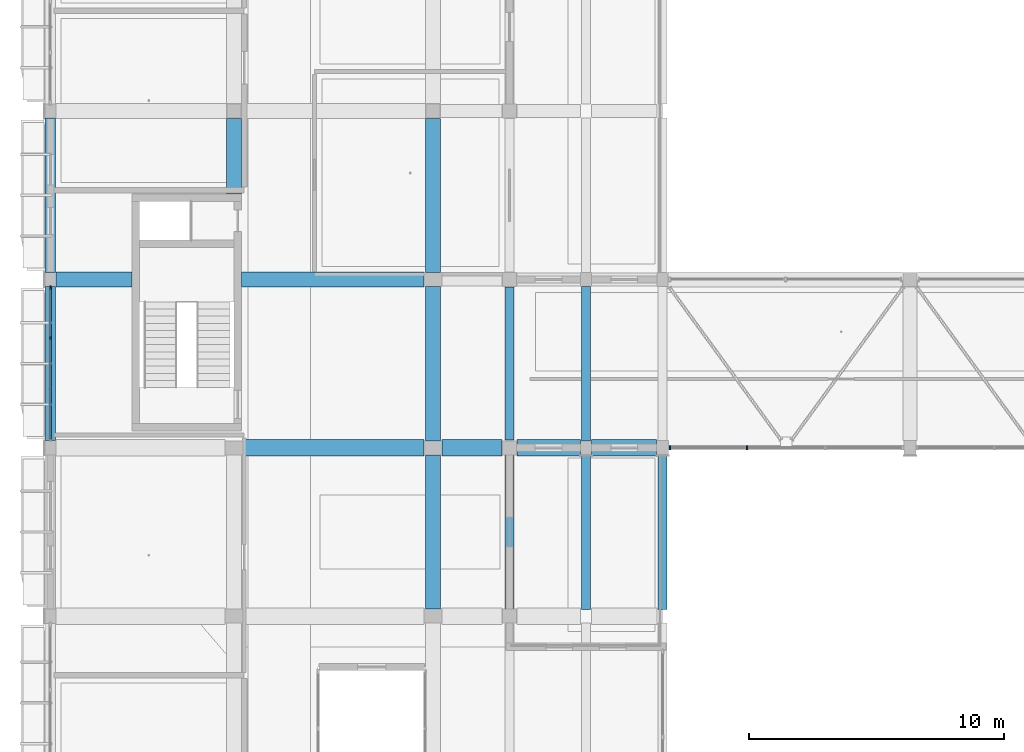
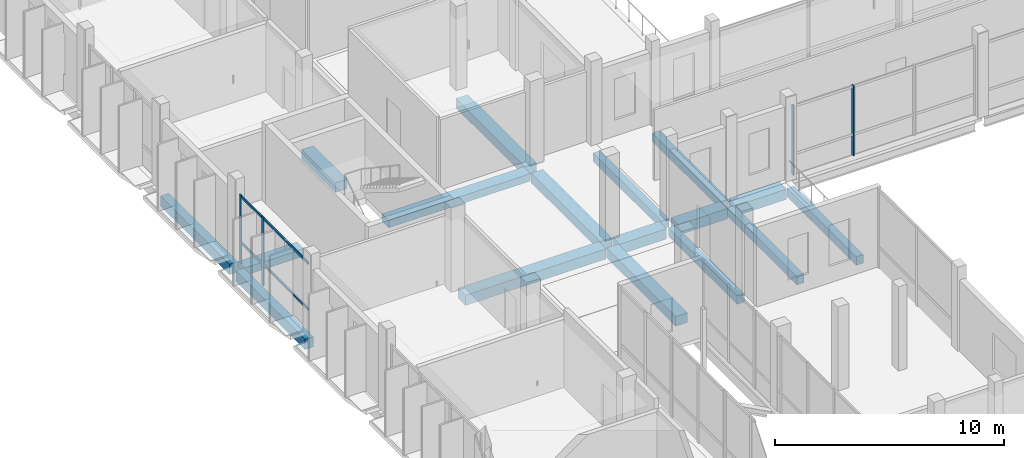
# One storey, part 23 of 95: 17 beams, 6 members, 2 elements without a shape of their own.
"""IFC4 building model written with IfcOpenShell, lengths in metres."""

from ifc_helpers import new_model, si_unit, derived_unit, direction, frame, origin, origin_2d, place, context, subcontext, project, spatial, rectangle, extrude, material, material_profile, profile_set, type_object, element, aggregate, save


model = new_model("IFC4")

# Units and contexts
model_context = context("Model", 3, precision=1e-05, world=origin(), true_north=direction((0.0, 1.0)))
body_context = subcontext(model_context, "Body", "Model", "MODEL_VIEW")
ifc_project = project(units=[si_unit("LENGTHUNIT", "METRE"), si_unit("AREAUNIT", "SQUARE_METRE"), si_unit("VOLUMEUNIT", "CUBIC_METRE"), si_unit("PLANEANGLEUNIT", "RADIAN"), si_unit("MASSUNIT", "GRAM", prefix="KILO"), derived_unit("THERMALTRANSMITTANCEUNIT", [(si_unit("POWERUNIT", "WATT"), 1), (si_unit("LENGTHUNIT", "METRE"), -2), (si_unit("THERMODYNAMICTEMPERATUREUNIT", "KELVIN"), -1)])], contexts=[model_context])

# Site, building, storey
site_placement = place(None, origin())
site = spatial("IfcSite", under=ifc_project, at=site_placement, CompositionType="ELEMENT")
building_placement = place(site_placement, origin())
building = spatial("IfcBuilding", under=site, at=building_placement, Name="Braskholm Square Health Centre", CompositionType="ELEMENT")
storey_placement = place(building_placement, frame((0.0, 0.0, 4.800048828125)))
storey = spatial("IfcBuildingStorey", under=building, at=storey_placement, Name="L02", CompositionType="ELEMENT", Elevation=4.800048828125)

# Curtain wall, members
ifc_material_1 = material(Name="Low-E triple insulating glass (VLT 0.64)", Category="glass")
curtain_wall_type_1 = type_object("IfcCurtainWallType", Name="UnitisedCurtainWall6200x3650", PredefinedType="NOTDEFINED", material=ifc_material_1)
curtain_wall_1_placement = place(storey_placement, origin())
curtain_wall_1 = element("IfcCurtainWall", 1, at=curtain_wall_1_placement, inside=storey, type_object=curtain_wall_type_1, Name="West Outer unitised curtain wall CW-L02-0012", PredefinedType="NOTDEFINED")
ifc_material_2 = material(Name="Architectural bronze anodised aluminium", Category="aluminium")
ifc_material_profile_1 = material_profile(ifc_material_2, rectangle(XDim=0.06494140625, YDim=0.14990234375, at=origin_2d()), Name="ALU-65X150")
ifc_profile_set_1 = profile_set([ifc_material_profile_1], Name="Architectural bronze anodised aluminium")
member_type_1 = type_object("IfcMemberType", Name="CurtainWallMullion65x150", PredefinedType="MULLION", material=ifc_profile_set_1)
member_1_placement = place(storey_placement, frame((4.199951171875, 93.473876953125, 0.0), z_axis=(0.0, 0.0, 1.0), x_axis=(1.0, 0.0, 0.0)))
member_1 = element("IfcMember", 2, at=member_1_placement, type_object=member_type_1, Name="CW-L02-0012 vertical mullion 1", PredefinedType="MULLION", context=body_context, shape_type="SweptSolid", body=[
    extrude(rectangle(XDim=0.06494140625, YDim=0.14990234375, at=origin_2d()), origin(), (0.0, 0.0, 1.0), 3.64990234375),
])
member_2_placement = place(storey_placement, frame((4.199951171875, 91.50341796875, 0.0), z_axis=(0.0, 0.0, 1.0), x_axis=(1.0, 0.0, 0.0)))
member_2 = element("IfcMember", 3, at=member_2_placement, type_object=member_type_1, Name="CW-L02-0012 vertical mullion 2", PredefinedType="MULLION", context=body_context, shape_type="SweptSolid", body=[
    extrude(rectangle(XDim=0.06494140625, YDim=0.14990234375, at=origin_2d()), origin(), (0.0, 0.0, 1.0), 3.64990234375),
])

curtain_wall_type_2 = type_object("IfcCurtainWallType", Name="UnitisedCurtainWall6200x3800", PredefinedType="NOTDEFINED", material=ifc_material_1)
curtain_wall_2_placement = place(storey_placement, origin())
curtain_wall_2 = element("IfcCurtainWall", 4, at=curtain_wall_2_placement, inside=storey, type_object=curtain_wall_type_2, Name="Hall Gallery L02 unitised curtain wall CW-L02-0172", PredefinedType="NOTDEFINED")
member_3_placement = place(storey_placement, frame((28.4873046875, 87.199951171875, 0.0), z_axis=(0.0, 0.0, 1.0), x_axis=(1.0, 0.0, 0.0)))
member_3 = element("IfcMember", 5, at=member_3_placement, type_object=member_type_1, Name="CW-L02-0172 vertical mullion 1", PredefinedType="MULLION", context=body_context, shape_type="SweptSolid", body=[
    extrude(rectangle(XDim=0.06494140625, YDim=0.14990234375, at=origin_2d()), origin(), (0.0, 0.0, 1.0), 3.739990234375),
])
member_4_placement = place(storey_placement, frame((31.5107421875, 87.199951171875, 0.0), z_axis=(0.0, 0.0, 1.0), x_axis=(1.0, 0.0, 0.0)))
member_4 = element("IfcMember", 6, at=member_4_placement, type_object=member_type_1, Name="CW-L02-0172 vertical mullion 2", PredefinedType="MULLION", context=body_context, shape_type="SweptSolid", body=[
    extrude(rectangle(XDim=0.06494140625, YDim=0.14990234375, at=origin_2d()), origin(), (0.0, 0.0, 1.0), 3.739990234375),
])
aggregate(curtain_wall_2, [member_3, member_4])

# Member
ifc_material_profile_2 = material_profile(ifc_material_2, rectangle(XDim=0.06494140625, YDim=0.1201171875, at=origin_2d()), Name="ALU-65X120")
ifc_profile_set_2 = profile_set([ifc_material_profile_2], Name="Architectural bronze anodised aluminium")
member_type_2 = type_object("IfcMemberType", Name="CurtainWallTransom65x120", PredefinedType="USERDEFINED", material=ifc_profile_set_2)
member_5_placement = place(storey_placement, frame((4.199951171875, 93.465087890625, 1.119873046875), z_axis=(0.0, -1.0, 0.0), x_axis=(1.0, 0.0, 0.0)))
member_5 = element("IfcMember", 7, at=member_5_placement, type_object=member_type_2, Name="CW-L02-0012 horizontal transom 1", ObjectType="TRANSOM", PredefinedType="USERDEFINED", context=body_context, shape_type="SweptSolid", body=[
    extrude(rectangle(XDim=0.06494140625, YDim=0.1201171875, at=origin_2d()), origin(), (0.0, 0.0, 1.0), 5.93017578125),
])

member_6_placement = place(storey_placement, frame((4.199951171875, 93.465087890625, 3.579833984375), z_axis=(0.0, -1.0, 0.0), x_axis=(1.0, 0.0, 0.0)))
member_6 = element("IfcMember", 8, at=member_6_placement, type_object=member_type_2, Name="CW-L02-0012 horizontal transom 2", ObjectType="TRANSOM", PredefinedType="USERDEFINED", context=body_context, shape_type="SweptSolid", body=[
    extrude(rectangle(XDim=0.06494140625, YDim=0.1201171875, at=origin_2d()), origin(), (0.0, 0.0, 1.0), 5.93017578125),
])

aggregate(curtain_wall_1, [member_1, member_2, member_5, member_6])

# Beams
ifc_material_3 = material(Name="Concrete C35/45 (f'c = 35 MPa)", Category="concrete")
ifc_material_profile_3 = material_profile(ifc_material_3, rectangle(XDim=0.60009765625, YDim=0.39990234375, at=origin_2d()), Name="RCB-600X400")
ifc_profile_set_3 = profile_set([ifc_material_profile_3], Name="Concrete C35/45 (f'c = 35 MPa)")
beam_type_1 = type_object("IfcBeamType", Name="PrimaryBandBeam600x400", PredefinedType="BEAM", material=ifc_profile_set_3)
beam_1_placement = place(storey_placement, frame((4.429931640625, 93.800048828125, -0.580078125), z_axis=(1.0, 0.0, 0.0), x_axis=(0.0, 1.0, 0.0)))
element("IfcBeam", 9, at=beam_1_placement, inside=storey, type_object=beam_type_1, Name="Beam 1-3/P L02", PredefinedType="BEAM", context=body_context, shape_type="SweptSolid", body=[
    extrude(rectangle(XDim=0.60009765625, YDim=0.39990234375, at=origin_2d()), origin(), (0.0, 0.0, 1.0), 2.969970703125),
])
beam_2_placement = place(storey_placement, frame((11.699951171875, 93.800048828125, -0.580078125), z_axis=(1.0, 0.0, 0.0), x_axis=(0.0, 1.0, 0.0)))
element("IfcBeam", 10, at=beam_2_placement, inside=storey, type_object=beam_type_1, Name="Beam 1-3/P L02", PredefinedType="BEAM", context=body_context, shape_type="SweptSolid", body=[
    extrude(rectangle(XDim=0.60009765625, YDim=0.39990234375, at=origin_2d()), origin(), (0.0, 0.0, 1.0), 7.150146484375),
])
ifc_material_4 = material(Name="Concrete C40/50 (f'c = 40 MPa)", Category="concrete")
ifc_material_profile_4 = material_profile(ifc_material_4, rectangle(XDim=0.64990234375, YDim=0.550048828125, at=origin_2d()), Name="RCB-650X550")
ifc_profile_set_4 = profile_set([ifc_material_profile_4], Name="Concrete C40/50 (f'c = 40 MPa)")
beam_type_2 = type_object("IfcBeamType", Name="PrimaryGirderImaging650x550", PredefinedType="BEAM", material=ifc_profile_set_4)
beam_3_placement = place(storey_placement, frame((11.75, 87.199951171875, -0.655029296875), z_axis=(1.0, 0.0, 0.0), x_axis=(0.0, 1.0, 0.0)))
element("IfcBeam", 11, at=beam_3_placement, inside=storey, type_object=beam_type_2, Name="Beam 2-3/N L02", PredefinedType="BEAM", context=body_context, shape_type="SweptSolid", body=[
    extrude(rectangle(XDim=0.64990234375, YDim=0.550048828125, at=origin_2d()), origin(), (0.0, 0.0, 1.0), 7.10009765625),
])
beam_4_placement = place(storey_placement, frame((19.550048828125, 87.199951171875, -0.655029296875), z_axis=(1.0, 0.0, 0.0), x_axis=(0.0, 1.0, 0.0)))
element("IfcBeam", 12, at=beam_4_placement, inside=storey, type_object=beam_type_2, Name="Beam 3-4/N L02", PredefinedType="BEAM", context=body_context, shape_type="SweptSolid", body=[
    extrude(rectangle(XDim=0.64990234375, YDim=0.550048828125, at=origin_2d()), origin(), (0.0, 0.0, 1.0), 2.349853515625),
])
beam_5_placement = place(storey_placement, frame((22.5, 87.199951171875, -0.655029296875), z_axis=(1.0, 0.0, 0.0), x_axis=(0.0, 1.0, 0.0)))
element("IfcBeam", 13, at=beam_5_placement, inside=storey, type_object=beam_type_2, Name="Beam 4-5/N L02", PredefinedType="BEAM", context=body_context, shape_type="SweptSolid", body=[
    extrude(rectangle(XDim=0.64990234375, YDim=0.550048828125, at=origin_2d()), origin(), (0.0, 0.0, 1.0), 2.47998046875),
])
beam_6_placement = place(storey_placement, frame((25.419921875, 87.199951171875, -0.655029296875), z_axis=(1.0, 0.0, 0.0), x_axis=(0.0, 1.0, 0.0)))
element("IfcBeam", 14, at=beam_6_placement, inside=storey, type_object=beam_type_2, Name="Beam 5-6/N L02", PredefinedType="BEAM", context=body_context, shape_type="SweptSolid", body=[
    extrude(rectangle(XDim=0.64990234375, YDim=0.550048828125, at=origin_2d()), origin(), (0.0, 0.0, 1.0), 2.550048828125),
])
ifc_material_profile_5 = material_profile(ifc_material_4, rectangle(XDim=0.60009765625, YDim=0.52001953125, at=origin_2d()), Name="RCB-600X520")
ifc_profile_set_5 = profile_set([ifc_material_profile_5], Name="Concrete C40/50 (f'c = 40 MPa)")
beam_type_3 = type_object("IfcBeamType", Name="PrimaryGirderSurgery600x520", PredefinedType="BEAM", material=ifc_profile_set_5)
beam_7_placement = place(storey_placement, frame((11.39990234375, 97.14990234375, -0.64013671875), z_axis=(0.0, 1.0, 0.0), x_axis=(-1.0, 0.0, 0.0)))
element("IfcBeam", 15, at=beam_7_placement, inside=storey, type_object=beam_type_3, Name="Beam 2/N-Q L02", PredefinedType="BEAM", context=body_context, shape_type="SweptSolid", body=[
    extrude(rectangle(XDim=0.60009765625, YDim=0.52001953125, at=origin_2d()), origin(), (0.0, 0.0, 1.0), 2.9501953125),
])
beam_8_placement = place(storey_placement, frame((19.199951171875, 80.875, -0.64013671875), z_axis=(0.0, 1.0, 0.0), x_axis=(-1.0, 0.0, 0.0)))
element("IfcBeam", 16, at=beam_8_placement, inside=storey, type_object=beam_type_3, Name="Beam 3/M-N L02", PredefinedType="BEAM", context=body_context, shape_type="SweptSolid", body=[
    extrude(rectangle(XDim=0.60009765625, YDim=0.52001953125, at=origin_2d()), origin(), (0.0, 0.0, 1.0), 6.050048828125),
])
beam_9_placement = place(storey_placement, frame((19.199951171875, 87.47509765625, -0.64013671875), z_axis=(0.0, 1.0, 0.0), x_axis=(-1.0, 0.0, 0.0)))
element("IfcBeam", 17, at=beam_9_placement, inside=storey, type_object=beam_type_3, Name="Beam 3/N-P L02", PredefinedType="BEAM", context=body_context, shape_type="SweptSolid", body=[
    extrude(rectangle(XDim=0.60009765625, YDim=0.52001953125, at=origin_2d()), origin(), (0.0, 0.0, 1.0), 6.0498046875),
])
beam_10_placement = place(storey_placement, frame((19.199951171875, 94.074951171875, -0.64013671875), z_axis=(0.0, 1.0, 0.0), x_axis=(-1.0, 0.0, 0.0)))
element("IfcBeam", 18, at=beam_10_placement, inside=storey, type_object=beam_type_3, Name="Beam 3/P-Q L02", PredefinedType="BEAM", context=body_context, shape_type="SweptSolid", body=[
    extrude(rectangle(XDim=0.60009765625, YDim=0.52001953125, at=origin_2d()), origin(), (0.0, 0.0, 1.0), 6.025146484375),
])
ifc_material_5 = material(Name="Precast concrete C40/50 architectural white", Category="concrete")
ifc_material_profile_6 = material_profile(ifc_material_5, rectangle(XDim=0.419921875, YDim=0.550048828125, at=origin_2d()), Name="RCB-420X550")
ifc_profile_set_6 = profile_set([ifc_material_profile_6], Name="Precast concrete C40/50 architectural white")
beam_type_4 = type_object("IfcBeamType", Name="SpandrelPrecastLedge420x550", PredefinedType="SPANDREL", material=ifc_profile_set_6)
for number, where, z_axis, x_axis, name in (
    (19, (4.199951171875, 87.47998046875, -0.655029296875), (0.0, 1.0, 0.0), (-1.0, 0.0, 0.0), "Beam 1/N-P L02"),
    (20, (4.199951171875, 94.080078125, -0.655029296875), (0.0, 1.0, 0.0), (-1.0, 0.0, 0.0), "Beam 1/P-Q L02"),
):
    element("IfcBeam", number, at=place(storey_placement, frame(where, z_axis=z_axis, x_axis=x_axis)), inside=storey, type_object=beam_type_4, Name=name, PredefinedType="SPANDREL", context=body_context, shape_type="SweptSolid", body=[
        extrude(rectangle(XDim=0.419921875, YDim=0.550048828125, at=origin_2d()), origin(), (0.0, 0.0, 1.0), 6.0400390625),
    ])
ifc_material_profile_7 = material_profile(ifc_material_5, rectangle(XDim=0.360107421875, YDim=0.4599609375, at=origin_2d()), Name="RCB-360X460")
ifc_profile_set_7 = profile_set([ifc_material_profile_7], Name="Precast concrete C40/50 architectural white")
beam_type_5 = type_object("IfcBeamType", Name="SpandrelTerraceEdge360x460", PredefinedType="SPANDREL", material=ifc_profile_set_7)
for number, where, z_axis, x_axis, name in (
    (21, (22.199951171875, 80.89990234375, -0.610107421875), (0.0, 1.0, 0.0), (-1.0, 0.0, 0.0), "Beam 4/M-N L02"),
    (22, (22.199951171875, 87.5, -0.610107421875), (0.0, 1.0, 0.0), (-1.0, 0.0, 0.0), "Beam 4/N-P L02"),
):
    element("IfcBeam", number, at=place(storey_placement, frame(where, z_axis=z_axis, x_axis=x_axis)), inside=storey, type_object=beam_type_5, Name=name, PredefinedType="SPANDREL", context=body_context, shape_type="SweptSolid", body=[
        extrude(rectangle(XDim=0.360107421875, YDim=0.4599609375, at=origin_2d()), origin(), (0.0, 0.0, 1.0), 6.0),
    ])
beam_11_placement = place(storey_placement, frame((25.199951171875, 80.8701171875, -0.610107421875), z_axis=(0.0, 1.0, 0.0), x_axis=(-1.0, 0.0, 0.0)))
element("IfcBeam", 23, at=beam_11_placement, inside=storey, type_object=beam_type_5, Name="Beam 5/M-N L02", PredefinedType="SPANDREL", context=body_context, shape_type="SweptSolid", body=[
    extrude(rectangle(XDim=0.360107421875, YDim=0.4599609375, at=origin_2d()), origin(), (0.0, 0.0, 1.0), 6.059814453125),
])
beam_12_placement = place(storey_placement, frame((25.199951171875, 87.469970703125, -0.610107421875), z_axis=(0.0, 1.0, 0.0), x_axis=(-1.0, 0.0, 0.0)))
element("IfcBeam", 24, at=beam_12_placement, inside=storey, type_object=beam_type_5, Name="Beam 5/N-P L02", PredefinedType="SPANDREL", context=body_context, shape_type="SweptSolid", body=[
    extrude(rectangle(XDim=0.360107421875, YDim=0.4599609375, at=origin_2d()), origin(), (0.0, 0.0, 1.0), 6.06005859375),
])
beam_13_placement = place(storey_placement, frame((28.199951171875, 80.8701171875, -0.610107421875), z_axis=(0.0, 1.0, 0.0), x_axis=(-1.0, 0.0, 0.0)))
element("IfcBeam", 25, at=beam_13_placement, inside=storey, type_object=beam_type_5, Name="Beam 6/M-N L02", PredefinedType="SPANDREL", context=body_context, shape_type="SweptSolid", body=[
    extrude(rectangle(XDim=0.360107421875, YDim=0.4599609375, at=origin_2d()), origin(), (0.0, 0.0, 1.0), 6.0498046875),
])

save(model, "model.ifc")
